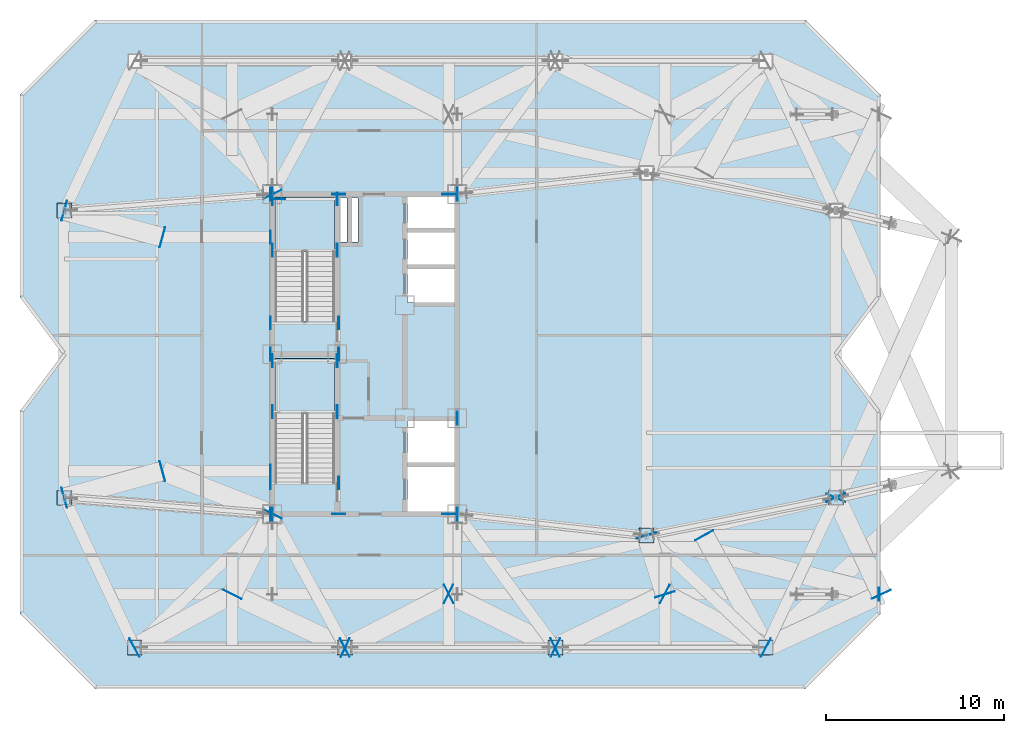
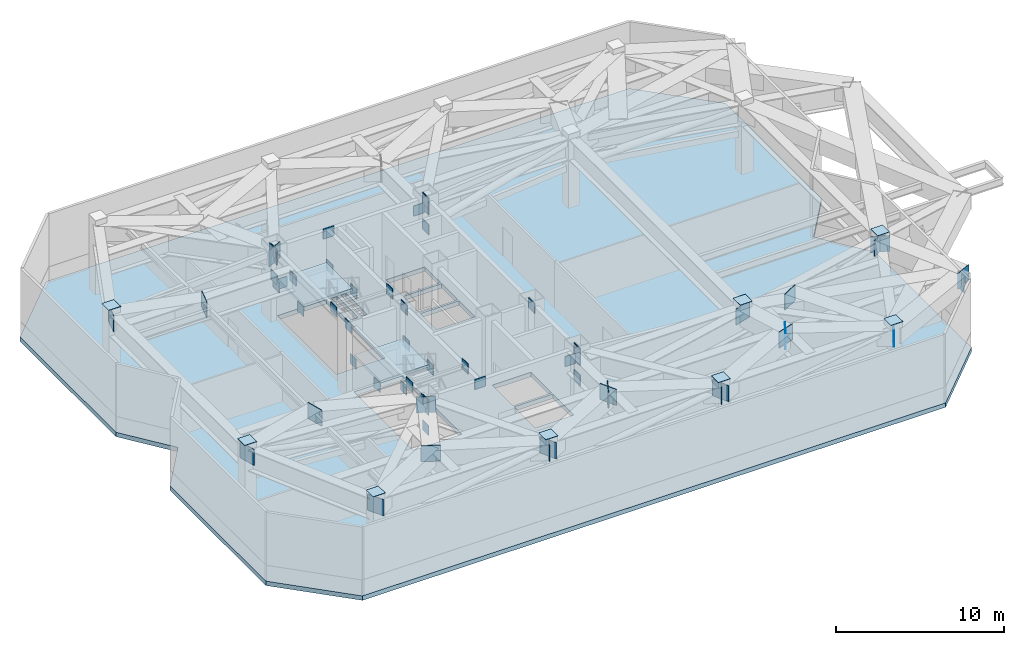
# One storey, part 7 of 19: 71 plates, 3 slabs, 2 elements without a shape of their own.
"""IFC4 building model written with IfcOpenShell, lengths in metres."""

from ifc_helpers import new_model, si_unit, direction, frame, origin, origin_2d, place, context, subcontext, project, spatial, polyline, rectangle, outline, extrude, material, layer, layer_set, type_object, element, aggregate, save


model = new_model("IFC4")

# Units and contexts
model_context = context("Model", 3, precision=1e-05, world=origin(), true_north=direction((0.0, 1.0)))
body_context = subcontext(model_context, "Body", "Model", "MODEL_VIEW")
ifc_project = project(units=[si_unit("LENGTHUNIT", "METRE"), si_unit("AREAUNIT", "SQUARE_METRE"), si_unit("VOLUMEUNIT", "CUBIC_METRE"), si_unit("PLANEANGLEUNIT", "RADIAN"), si_unit("MASSUNIT", "GRAM", prefix="KILO")], contexts=[model_context])

# Site, building, storey
site_placement = place(None, origin())
site = spatial("IfcSite", under=ifc_project, at=site_placement, CompositionType="ELEMENT")
building_placement = place(site_placement, origin())
building = spatial("IfcBuilding", under=site, at=building_placement, Name="Khamvora Tower", CompositionType="ELEMENT")
storey_placement = place(building_placement, frame((0.0, 0.0, 211.800048828125)))
storey = spatial("IfcBuildingStorey", under=building, at=storey_placement, Name="L54", CompositionType="ELEMENT", Elevation=211.800048828125)

# Plates
ifc_material_1 = material(Name="Steel S355", Category="steel")
ifc_layer_1 = layer(ifc_material_1, 0.02490234375)
ifc_layer_set_1 = layer_set([ifc_layer_1], Name="Steel S355")
plate_type_1 = type_object("IfcPlateType", Name="PL-CAP-25", PredefinedType="SHEET", material=ifc_layer_set_1)
for number, where, z_axis, x_axis, name in (
    (1, (21.25, 11.5, 5.37548828125), (0.0, 0.0, 1.0), (1.0, 0.0, 0.0), "L54 hollow section steel end cap plate 0190"),
    (2, (33.080078125, 11.5, 5.37548828125), (0.0, 0.0, 1.0), (1.0, 0.0, 0.0), "L54 hollow section steel end cap plate 0193"),
    (3, (44.919921875, 11.5, 5.37548828125), (0.0, 0.0, 1.0), (1.0, 0.0, 0.0), "L54 hollow section steel end cap plate 0196"),
    (4, (56.75, 11.5, 5.37548828125), (0.0, 0.0, 1.0), (1.0, 0.0, 0.0), "L54 hollow section steel end cap plate 0199"),
    (5, (17.300048828125, 19.929931640625, 5.37548828125), (0.0, 0.0, 1.0), (1.0, 0.0, 0.0), "L54 hollow section steel end cap plate 0214"),
    (6, (17.300048828125, 36.080078125, 5.37548828125), (0.0, 0.0, 1.0), (1.0, 0.0, 0.0), "L54 hollow section steel end cap plate 0217"),
    (7, (60.699951171875, 19.929931640625, 5.37548828125), (0.0, 0.0, 1.0), (1.0, 0.0, 0.0), "L54 hollow section steel end cap plate 0220"),
    (8, (50.050048828125, 17.800048828125, 5.37548828125), (0.0, 0.0, 1.0), (1.0, 0.0, 0.0), "L54 hollow section steel end cap plate 0226"),
):
    element("IfcPlate", number, at=place(storey_placement, frame(where, z_axis=z_axis, x_axis=x_axis)), inside=storey, type_object=plate_type_1, Name=name, PredefinedType="SHEET", context=body_context, shape_type="SweptSolid", body=[
        extrude(rectangle(XDim=0.830078125, YDim=0.830078125, at=origin_2d()), origin(), (0.0, 0.0, 1.0), 0.02490234375),
    ])
for number, where, z_axis, x_axis, name in (
    (9, (29.006103515625, 19.010986328125, 3.85009765625), (0.0, 0.0, 1.0), (-0.44721279659, -0.894427590455, 0.0), "L54 hollow section steel end cap plate 1084"),
    (10, (26.743896484375, 14.489013671875, 3.85009765625), (0.0, 0.0, 1.0), (-0.44721279659, -0.894427590455, 0.0), "L54 hollow section steel end cap plate 1085"),
    (11, (21.239013671875, 11.493896484375, 3.85009765625), (0.0, 0.0, 1.0), (0.877899414566, 0.478845087586, 0.0), "L54 hollow section steel end cap plate 1086"),
    (12, (33.093994140625, 11.4951171875, 3.85009765625), (0.0, 0.0, 1.0), (-0.903731681837, 0.428099342728, 0.0), "L54 hollow section steel end cap plate 1087"),
    (13, (33.072021484375, 11.493896484375, 3.85009765625), (0.0, 0.0, 1.0), (0.889312638169, 0.457299717465, 0.0), "L54 hollow section steel end cap plate 1088"),
    (14, (38.927978515625, 14.506103515625, 3.85009765625), (0.0, 0.0, 1.0), (0.889312638169, 0.457299717465, 0.0), "L54 hollow section steel end cap plate 1089"),
    (15, (44.927978515625, 11.493896484375, 3.85009765625), (0.0, 0.0, 1.0), (-0.894427590455, 0.44721279659, 0.0), "L54 hollow section steel end cap plate 1090"),
    (16, (38.906005859375, 14.506103515625, 3.85009765625), (0.0, 0.0, 1.0), (-0.894427590455, 0.44721279659, 0.0), "L54 hollow section steel end cap plate 1091"),
    (17, (50.0458984375, 17.81201171875, 3.85009765625), (0.0, 0.0, 1.0), (0.298740994063, -0.95433422786, 0.0), "L54 hollow section steel end cap plate 1092"),
    (18, (51.0869140625, 14.488037109375, 3.85009765625), (0.0, 0.0, 1.0), (0.298740994063, -0.95433422786, 0.0), "L54 hollow section steel end cap plate 1093"),
    (19, (56.760986328125, 11.493896484375, 3.85009765625), (0.0, 0.0, 1.0), (-0.883798295599, 0.46786811464, 0.0), "L54 hollow section steel end cap plate 1094"),
    (20, (51.072021484375, 14.506103515625, 3.85009765625), (0.0, 0.0, 1.0), (-0.883798295599, 0.46786811464, 0.0), "L54 hollow section steel end cap plate 1095"),
    (21, (44.906005859375, 11.4951171875, 3.85009765625), (0.0, 0.0, 1.0), (0.899214438222, 0.437508164602, 0.0), "L54 hollow section steel end cap plate 1096"),
    (22, (60.695068359375, 19.93603515625, 3.85009765625), (0.0, 0.0, 1.0), (0.425400241153, -0.905005323093, 0.0), "L54 hollow section steel end cap plate 1097"),
    (23, (63.2548828125, 14.489013671875, 3.85009765625), (0.0, 0.0, 1.0), (0.425400241153, -0.905005323093, 0.0), "L54 hollow section steel end cap plate 1098"),
    (24, (29.006103515625, 36.989013671875, 3.85009765625), (0.0, 0.0, 1.0), (-0.44721279659, 0.894427590455, 0.0), "L54 hollow section steel end cap plate 1099"),
    (25, (17.2880859375, 19.922119140625, 3.85009765625), (0.0, 0.0, 1.0), (0.964764366352, 0.263115407033, 0.0), "L54 hollow section steel end cap plate 1114"),
    (26, (22.81201171875, 21.427978515625, 3.85009765625), (0.0, 0.0, 1.0), (0.964764366352, 0.263115407033, 0.0), "L54 hollow section steel end cap plate 1115"),
    (27, (17.2880859375, 36.077880859375, 3.85009765625), (0.0, 0.0, 1.0), (0.964764366352, -0.263115407033, 0.0), "L54 hollow section steel end cap plate 1116"),
    (28, (22.81201171875, 34.572021484375, 3.85009765625), (0.0, 0.0, 1.0), (0.964764366352, -0.263115407033, 0.0), "L54 hollow section steel end cap plate 1117"),
    (29, (60.695068359375, 19.9140625, 3.85009765625), (0.0, 0.0, 1.0), (0.405556420337, 0.914070013688, 0.0), "L54 hollow section steel end cap plate 1122"),
    (30, (53.2939453125, 17.81103515625, 3.85009765625), (0.0, 0.0, 1.0), (-0.480315349341, 0.877095870009, 0.0), "L54 hollow section steel end cap plate 1124"),
):
    element("IfcPlate", number, at=place(storey_placement, frame(where, z_axis=z_axis, x_axis=x_axis)), inside=storey, type_object=plate_type_1, Name=name, PredefinedType="SHEET", context=body_context, shape_type="SweptSolid", body=[
        extrude(rectangle(XDim=0.02490234375, YDim=1.159912109375, at=origin_2d()), origin(), (0.0, 0.0, 1.0), 1.159912109375),
    ])
ifc_material_2 = material(Name="Steel S460", Category="steel")
ifc_layer_2 = layer(ifc_material_2, 0.034912109375)
ifc_layer_set_2 = layer_set([ifc_layer_2], Name="Steel S460")
plate_type_2 = type_object("IfcPlateType", Name="PL-EMB-35", PredefinedType="SHEET", material=ifc_layer_set_2)
for number, where, z_axis, x_axis, name in (
    (31, (29.0, 24.7548828125, 2.0087890625), (0.0, 0.0, 1.0), (1.0, 0.0, 0.0), "L54 core shear wall cast-in embed plate 1562"),
    (32, (32.64990234375, 24.7548828125, 2.0087890625), (0.0, 0.0, 1.0), (1.0, 0.0, 0.0), "L54 core shear wall cast-in embed plate 1563"),
    (33, (29.0, 27.6298828125, 2.0087890625), (0.0, 0.0, 1.0), (1.0, 0.0, 0.0), "L54 core shear wall cast-in embed plate 1564"),
    (34, (32.64990234375, 27.6298828125, 2.0087890625), (0.0, 0.0, 1.0), (1.0, 0.0, 0.0), "L54 core shear wall cast-in embed plate 1565"),
    (35, (29.0, 33.85498046875, 2.0087890625), (0.0, 0.0, 1.0), (1.0, 0.0, 0.0), "L54 core shear wall cast-in embed plate 1566"),
    (36, (32.64990234375, 33.85498046875, 2.0087890625), (0.0, 0.0, 1.0), (1.0, 0.0, 0.0), "L54 core shear wall cast-in embed plate 1567"),
    (37, (29.0, 36.72998046875, 2.0087890625), (0.0, 0.0, 1.0), (1.0, 0.0, 0.0), "L54 core shear wall cast-in embed plate 1568"),
    (38, (32.64990234375, 36.72998046875, 2.0087890625), (0.0, 0.0, 1.0), (1.0, 0.0, 0.0), "L54 core shear wall cast-in embed plate 1569"),
):
    element("IfcPlate", number, at=place(storey_placement, frame(where, z_axis=z_axis, x_axis=x_axis)), inside=storey, type_object=plate_type_2, Name=name, PredefinedType="SHEET", context=body_context, shape_type="SweptSolid", body=[
        extrude(rectangle(XDim=0.034912109375, YDim=0.719970703125, at=origin_2d()), origin(), (0.0, 0.0, 1.0), 0.719970703125),
    ])
plate_1_placement = place(storey_placement, frame((29.35009765625, 36.72998046875, 2.0087890625), z_axis=(0.0, 0.0, 1.0), x_axis=(1.0, 0.0, 0.0)))
element("IfcPlate", 39, at=plate_1_placement, inside=storey, type_object=plate_type_2, Name="L54 core shear wall cast-in embed plate 1570", PredefinedType="SHEET", context=body_context, shape_type="SweptSolid", body=[
    extrude(rectangle(XDim=0.719970703125, YDim=0.034912109375, at=origin_2d()), origin(), (0.0, 0.0, 1.0), 0.719970703125),
])
for number, where, z_axis, x_axis, name in (
    (40, (29.0, 19.0, 4.27001953125), (0.0, 0.0, 1.0), (1.0, 0.0, 0.0), "L54 core shear wall cast-in embed plate 1571"),
    (41, (29.0, 19.0, 2.39990234375), (0.0, 0.0, 1.0), (1.0, 0.0, 0.0), "L54 core shear wall cast-in embed plate 1572"),
    (42, (29.0, 37.0, 4.27001953125), (0.0, 0.0, 1.0), (1.0, 0.0, 0.0), "L54 core shear wall cast-in embed plate 1573"),
    (43, (29.0, 37.0, 2.39990234375), (0.0, 0.0, 1.0), (1.0, 0.0, 0.0), "L54 core shear wall cast-in embed plate 1574"),
    (44, (39.39990234375, 19.0, 4.27001953125), (0.0, 0.0, 1.0), (1.0, 0.0, 0.0), "L54 core shear wall cast-in embed plate 1575"),
    (45, (39.39990234375, 19.0, 2.39990234375), (0.0, 0.0, 1.0), (1.0, 0.0, 0.0), "L54 core shear wall cast-in embed plate 1576"),
    (46, (39.39990234375, 37.0, 4.27001953125), (0.0, 0.0, 1.0), (1.0, 0.0, 0.0), "L54 core shear wall cast-in embed plate 1577"),
    (47, (39.39990234375, 37.0, 2.39990234375), (0.0, 0.0, 1.0), (1.0, 0.0, 0.0), "L54 core shear wall cast-in embed plate 1578"),
    (48, (29.0, 19.0, 3.8447265625), (0.0, 0.0, 1.0), (1.0, 0.0, 0.0), "L54 core shear wall cast-in embed plate 1579"),
    (49, (39.39990234375, 19.0, 3.8447265625), (0.0, 0.0, 1.0), (1.0, 0.0, 0.0), "L54 core shear wall cast-in embed plate 1580"),
    (50, (29.0, 37.0, 3.8447265625), (0.0, 0.0, 1.0), (1.0, 0.0, 0.0), "L54 core shear wall cast-in embed plate 1581"),
    (51, (39.39990234375, 37.0, 3.8447265625), (0.0, 0.0, 1.0), (1.0, 0.0, 0.0), "L54 core shear wall cast-in embed plate 1582"),
    (52, (28.89990234375, 19.0, 4.35302734375), (0.0, 0.0, 1.0), (1.0, 0.0, 0.0), "L54 core shear wall cast-in embed plate 1583"),
    (53, (28.89990234375, 28.0, 4.35302734375), (0.0, 0.0, 1.0), (1.0, 0.0, 0.0), "L54 core shear wall cast-in embed plate 1584"),
    (54, (28.89990234375, 37.0, 4.35302734375), (0.0, 0.0, 1.0), (1.0, 0.0, 0.0), "L54 core shear wall cast-in embed plate 1585"),
):
    element("IfcPlate", number, at=place(storey_placement, frame(where, z_axis=z_axis, x_axis=x_axis)), inside=storey, type_object=plate_type_2, Name=name, PredefinedType="SHEET", context=body_context, shape_type="SweptSolid", body=[
        extrude(rectangle(XDim=0.034912109375, YDim=0.719970703125, at=origin_2d()), origin(), (0.0, 0.0, 1.0), 0.719970703125),
    ])
plate_2_placement = place(storey_placement, frame((32.72998046875, 19.0, 4.35302734375), z_axis=(0.0, 0.0, 1.0), x_axis=(1.0, 0.0, 0.0)))
element("IfcPlate", 55, at=plate_2_placement, inside=storey, type_object=plate_type_2, Name="L54 core shear wall cast-in embed plate 1586", PredefinedType="SHEET", context=body_context, shape_type="SweptSolid", body=[
    extrude(rectangle(XDim=0.719970703125, YDim=0.034912109375, at=origin_2d()), origin(), (0.0, 0.0, 1.0), 0.719970703125),
])
plate_3_placement = place(storey_placement, frame((32.72998046875, 28.0, 4.35302734375), z_axis=(0.0, 0.0, 1.0), x_axis=(1.0, 0.0, 0.0)))
element("IfcPlate", 56, at=plate_3_placement, inside=storey, type_object=plate_type_2, Name="L54 core shear wall cast-in embed plate 1587", PredefinedType="SHEET", context=body_context, shape_type="SweptSolid", body=[
    extrude(rectangle(XDim=0.034912109375, YDim=0.719970703125, at=origin_2d()), origin(), (0.0, 0.0, 1.0), 0.719970703125),
])
plate_4_placement = place(storey_placement, frame((32.72998046875, 37.0, 4.35302734375), z_axis=(0.0, 0.0, 1.0), x_axis=(1.0, 0.0, 0.0)))
element("IfcPlate", 57, at=plate_4_placement, inside=storey, type_object=plate_type_2, Name="L54 core shear wall cast-in embed plate 1588", PredefinedType="SHEET", context=body_context, shape_type="SweptSolid", body=[
    extrude(rectangle(XDim=0.719970703125, YDim=0.034912109375, at=origin_2d()), origin(), (0.0, 0.0, 1.0), 0.719970703125),
])
for number, where, z_axis, x_axis, name in (
    (58, (39.39990234375, 19.0, 4.35302734375), (0.0, 0.0, 1.0), (1.0, 0.0, 0.0), "L54 core shear wall cast-in embed plate 1589"),
    (59, (39.39990234375, 24.39990234375, 4.35302734375), (0.0, 0.0, 1.0), (1.0, 0.0, 0.0), "L54 core shear wall cast-in embed plate 1590"),
    (60, (39.39990234375, 37.0, 4.35302734375), (0.0, 0.0, 1.0), (1.0, 0.0, 0.0), "L54 core shear wall cast-in embed plate 1591"),
    (61, (28.89990234375, 20.75, 4.494140625), (0.0, 0.0, 1.0), (1.0, 0.0, 0.0), "L54 core shear wall cast-in embed plate 1592"),
    (62, (32.72998046875, 20.75, 4.494140625), (0.0, 0.0, 1.0), (1.0, 0.0, 0.0), "L54 core shear wall cast-in embed plate 1593"),
    (63, (28.89990234375, 29.75, 4.494140625), (0.0, 0.0, 1.0), (1.0, 0.0, 0.0), "L54 core shear wall cast-in embed plate 1594"),
    (64, (32.72998046875, 29.75, 4.494140625), (0.0, 0.0, 1.0), (1.0, 0.0, 0.0), "L54 core shear wall cast-in embed plate 1595"),
):
    element("IfcPlate", number, at=place(storey_placement, frame(where, z_axis=z_axis, x_axis=x_axis)), inside=storey, type_object=plate_type_2, Name=name, PredefinedType="SHEET", context=body_context, shape_type="SweptSolid", body=[
        extrude(rectangle(XDim=0.034912109375, YDim=0.719970703125, at=origin_2d()), origin(), (0.0, 0.0, 1.0), 0.719970703125),
    ])
for number, where, z_axis, x_axis, name in (
    (65, (38.9169921875, 19.0, 3.8447265625), (0.0, 0.0, 1.0), (1.0, 0.0, 0.0), "L54 core shear wall cast-in embed plate 1596"),
    (66, (38.9169921875, 37.0, 3.8447265625), (0.0, 0.0, 1.0), (1.0, 0.0, 0.0), "L54 core shear wall cast-in embed plate 1597"),
):
    element("IfcPlate", number, at=place(storey_placement, frame(where, z_axis=z_axis, x_axis=x_axis)), inside=storey, type_object=plate_type_2, Name=name, PredefinedType="SHEET", context=body_context, shape_type="SweptSolid", body=[
        extrude(rectangle(XDim=0.719970703125, YDim=0.034912109375, at=origin_2d()), origin(), (0.0, 0.0, 1.0), 0.719970703125),
    ])
for number, where, z_axis, x_axis, name in (
    (67, (28.89990234375, 21.425048828125, 3.8447265625), (0.0, 0.0, 1.0), (1.0, 0.0, 0.0), "L54 core shear wall cast-in embed plate 1598"),
    (68, (28.89990234375, 34.574951171875, 3.8447265625), (0.0, 0.0, 1.0), (1.0, 0.0, 0.0), "L54 core shear wall cast-in embed plate 1599"),
    (69, (29.0, 19.0, 4.06982421875), (0.0, 0.0, 1.0), (1.0, 0.0, 0.0), "L54 core shear wall cast-in embed plate 1600"),
    (70, (29.0, 37.0, 4.06982421875), (0.0, 0.0, 1.0), (1.0, 0.0, 0.0), "L54 core shear wall cast-in embed plate 1601"),
):
    element("IfcPlate", number, at=place(storey_placement, frame(where, z_axis=z_axis, x_axis=x_axis)), inside=storey, type_object=plate_type_2, Name=name, PredefinedType="SHEET", context=body_context, shape_type="SweptSolid", body=[
        extrude(rectangle(XDim=0.034912109375, YDim=0.719970703125, at=origin_2d()), origin(), (0.0, 0.0, 1.0), 0.719970703125),
    ])
ifc_layer_3 = layer(ifc_material_2, 0.044921875)
ifc_layer_set_3 = layer_set([ifc_layer_3], Name="Steel S460")
plate_type_3 = type_object("IfcPlateType", Name="PLT-CAP-45", PredefinedType="SHEET", material=ifc_layer_set_3)
plate_5_placement = place(storey_placement, frame((63.1298828125, 14.5, 3.52978515625), z_axis=(0.0, 0.0, 1.0), x_axis=(1.0, 0.0, 0.0)))
element("IfcPlate", 71, at=plate_5_placement, inside=storey, type_object=plate_type_3, Name="L54 transfer box end cap plate S4", PredefinedType="SHEET", context=body_context, shape_type="SweptSolid", body=[
    extrude(rectangle(XDim=0.044921875, YDim=0.75, at=origin_2d()), origin(), (0.0, 0.0, 1.0), 1.199951171875),
])

# Stair, slab
ifc_material_3 = material(Name="Concrete C40/50", Category="concrete")
stair_type_1 = type_object("IfcStairType", Name="STR-ST-01", PredefinedType="HALF_TURN_STAIR", material=ifc_material_3)
stair_1_placement = place(storey_placement, origin())
stair_1 = element("IfcStair", 72, at=stair_1_placement, inside=storey, type_object=stair_type_1, Name="L54 South Tower Exit Stair ST-01", PredefinedType="HALF_TURN_STAIR")
ifc_layer_4 = layer(ifc_material_3, 0.199951171875)
ifc_layer_set_4 = layer_set([ifc_layer_4], Name="Concrete C40/50")
slab_type_1 = type_object("IfcSlabType", Name="SLB-LND-200", PredefinedType="LANDING", material=ifc_layer_set_4)
slab_1_placement = place(storey_placement, frame((0.0, 0.0, 2.5)))
slab_1 = element("IfcSlab", 73, at=slab_1_placement, type_object=slab_type_1, Name="ST-01 landing 1", PredefinedType="LANDING", context=body_context, shape_type="SweptSolid", body=[
    extrude(outline(polyline([(32.5, 24.635009765625), (32.5, 27.75), (29.14990234375, 27.75), (29.14990234375, 24.635009765625), (32.5, 24.635009765625)])), origin(), (0.0, 0.0, 1.0), 0.199951171875),
])
aggregate(stair_1, [slab_1])

stair_type_2 = type_object("IfcStairType", Name="STR-ST-02", PredefinedType="HALF_TURN_STAIR", material=ifc_material_3)
stair_2_placement = place(storey_placement, origin())
stair_2 = element("IfcStair", 74, at=stair_2_placement, inside=storey, type_object=stair_type_2, Name="L54 North Tower Exit Stair ST-02", PredefinedType="HALF_TURN_STAIR")
slab_2_placement = place(storey_placement, frame((0.0, 0.0, 2.5)))
slab_2 = element("IfcSlab", 75, at=slab_2_placement, type_object=slab_type_1, Name="ST-02 landing 1", PredefinedType="LANDING", context=body_context, shape_type="SweptSolid", body=[
    extrude(outline(polyline([(32.5, 33.735107421875), (32.5, 36.85009765625), (29.14990234375, 36.85009765625), (29.14990234375, 33.735107421875), (32.5, 33.735107421875)])), origin(), (0.0, 0.0, 1.0), 0.199951171875),
])
aggregate(stair_2, [slab_2])

# Slab
ifc_layer_5 = layer(ifc_material_3, 0.320068359375)
ifc_layer_set_5 = layer_set([ifc_layer_5], Name="Concrete C40/50")
slab_type_2 = type_object("IfcSlabType", Name="SLB-TRN-320", PredefinedType="FLOOR", material=ifc_layer_set_5)
slab_3_placement = place(storey_placement, frame((0.0, 0.0, -0.320068359375)))
element("IfcSlab", 76, at=slab_3_placement, inside=storey, type_object=slab_type_2, Name="L54 structural floor slab", PredefinedType="FLOOR", context=body_context, shape_type="SweptSolid", body=[
    extrude(outline(polyline([(19.0, 9.199951171875), (59.0, 9.199951171875), (63.199951171875, 13.39990234375), (63.199951171875, 24.800048828125), (60.800048828125, 28.0), (63.199951171875, 31.199951171875), (63.199951171875, 42.60009765625), (59.0, 46.800048828125), (19.0, 46.800048828125), (14.800048828125, 42.60009765625), (14.800048828125, 31.199951171875), (17.199951171875, 28.0), (14.800048828125, 24.800048828125), (14.800048828125, 13.39990234375), (19.0, 9.199951171875)]), holes=[polyline([(32.5, 20.760009765625), (32.5, 27.75), (29.14990234375, 27.75), (29.14990234375, 20.760009765625), (32.5, 20.760009765625)]), polyline([(32.5, 29.860107421875), (32.5, 36.85009765625), (29.14990234375, 36.85009765625), (29.14990234375, 29.860107421875), (32.5, 29.860107421875)]), polyline([(36.60009765625, 19.14990234375), (39.25, 19.14990234375), (39.25, 21.64990234375), (36.60009765625, 21.64990234375), (36.60009765625, 19.14990234375)]), polyline([(36.60009765625, 21.800048828125), (39.25, 21.800048828125), (39.25, 24.25), (36.60009765625, 24.25), (36.60009765625, 21.800048828125)]), polyline([(36.60009765625, 30.89990234375), (39.25, 30.89990234375), (39.25, 32.800048828125), (36.60009765625, 32.800048828125), (36.60009765625, 30.89990234375)]), polyline([(36.60009765625, 32.949951171875), (39.25, 32.949951171875), (39.25, 34.85009765625), (36.60009765625, 34.85009765625), (36.60009765625, 32.949951171875)]), polyline([(36.60009765625, 35.0), (39.25, 35.0), (39.25, 36.85009765625), (36.60009765625, 36.85009765625), (36.60009765625, 35.0)]), polyline([(32.800048828125, 34.300048828125), (33.199951171875, 34.300048828125), (33.199951171875, 36.800048828125), (32.800048828125, 36.800048828125), (32.800048828125, 34.300048828125)]), polyline([(33.47998046875, 34.300048828125), (33.820068359375, 34.300048828125), (33.820068359375, 36.800048828125), (33.47998046875, 36.800048828125), (33.47998046875, 34.300048828125)])]), origin(), (0.0, 0.0, 1.0), 0.320068359375),
])

save(model, "model.ifc")
